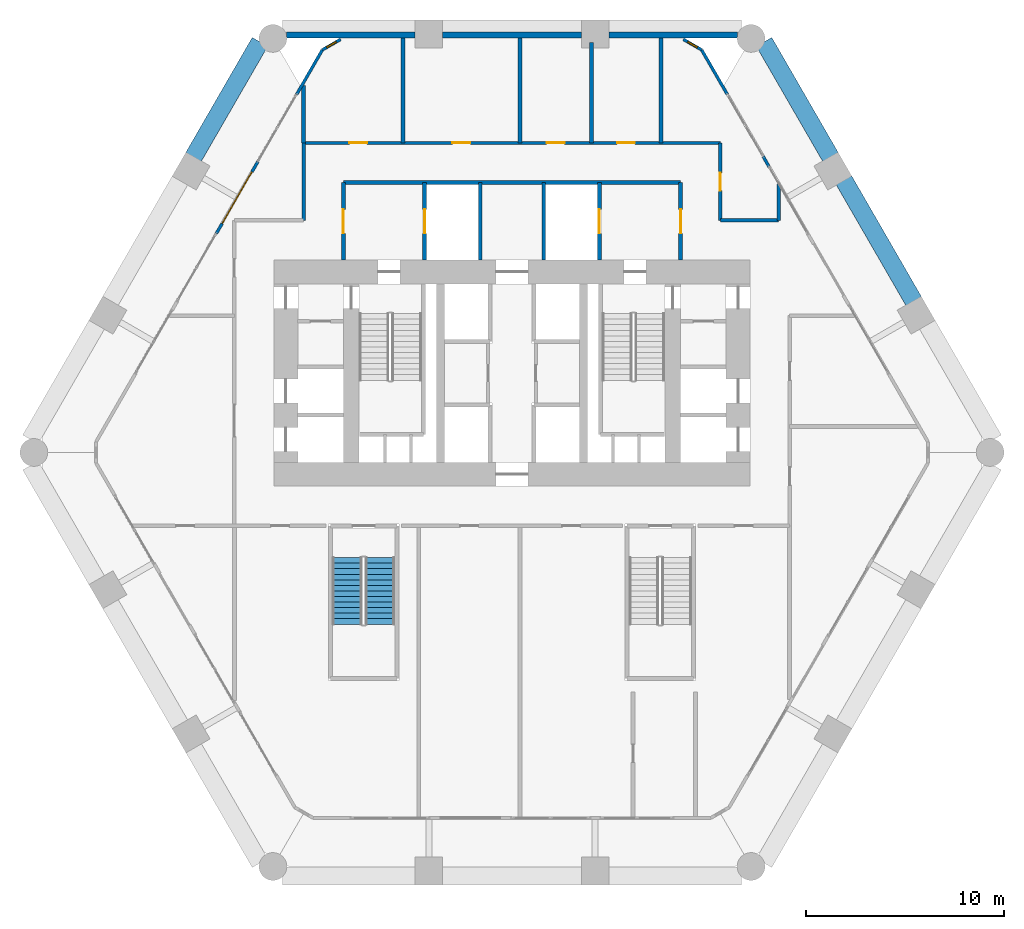
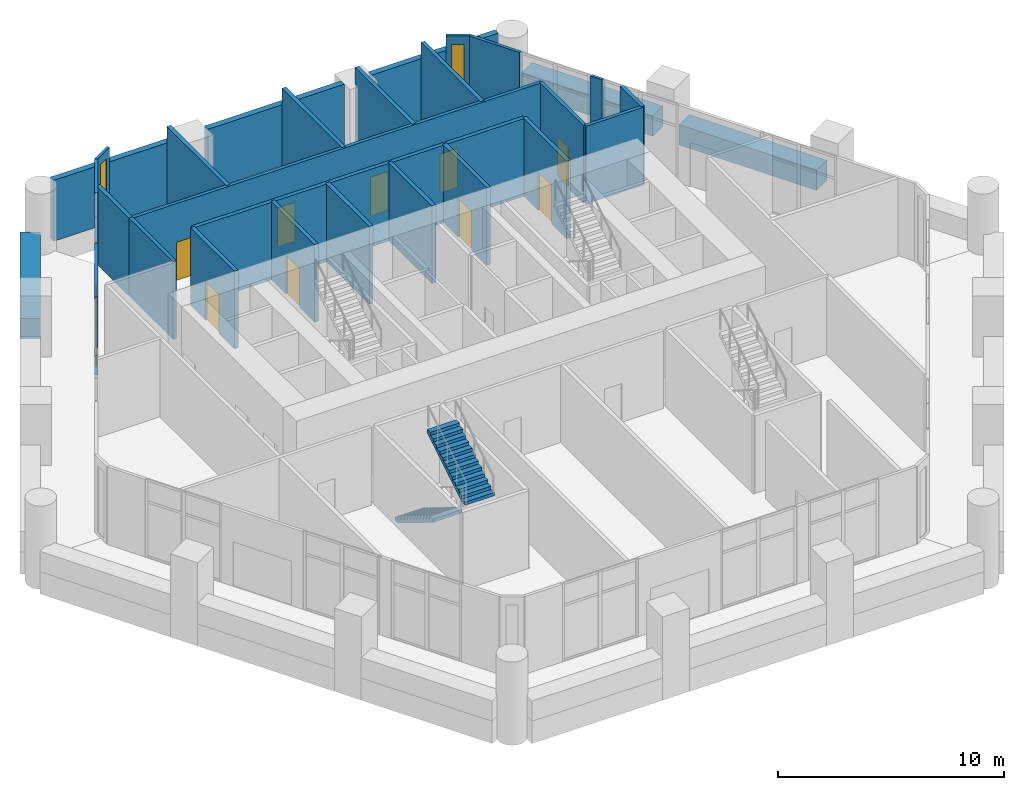
# One storey, part 16 of 18: 29 walls, 10 doors, 2 stair flights, 2 windows, 12 openings, 1 element without a shape of its own.
"""IFC4 building model written with IfcOpenShell, lengths in metres."""

from ifc_helpers import new_model, si_unit, direction, frame, frame_2d, origin, place, context, subcontext, project, spatial, polyline, rectangle, outline, extrude, material, layer, layer_set, type_object, element, fill, aggregate, save


model = new_model("IFC4")

# Units and contexts
model_context = context("Model", 3, precision=1e-05, world=origin(), true_north=direction((0.0, 1.0)))
body_context = subcontext(model_context, "Body", "Model", "MODEL_VIEW")
ifc_project = project(units=[si_unit("LENGTHUNIT", "METRE"), si_unit("AREAUNIT", "SQUARE_METRE"), si_unit("VOLUMEUNIT", "CUBIC_METRE"), si_unit("PLANEANGLEUNIT", "RADIAN"), si_unit("MASSUNIT", "GRAM", prefix="KILO")], contexts=[model_context])

# Site, building, storey
site_placement = place(None, origin())
site = spatial("IfcSite", under=ifc_project, at=site_placement, CompositionType="ELEMENT")
building_placement = place(site_placement, origin())
building = spatial("IfcBuilding", under=site, at=building_placement, Name="Ostrander Bayou Hotel Tower", CompositionType="ELEMENT")
storey_placement = place(building_placement, frame((0.0, 0.0, 14.5)))
storey = spatial("IfcBuildingStorey", under=building, at=storey_placement, Name="L03", CompositionType="ELEMENT", Elevation=14.5)

# Wall, opening, door
ifc_material_1 = material(Name="Aluminium framed insulated wall", Category="aluminium")
ifc_layer_1 = layer(ifc_material_1, 0.14990234375)
ifc_layer_set_1 = layer_set([ifc_layer_1], Name="GW1 glass-line wall 150 mm")
wall_type_1 = type_object("IfcWallType", Name="GW1 glass-line wall 150 mm", PredefinedType="SOLIDWALL", material=ifc_layer_set_1)
wall_1_placement = place(storey_placement, frame((-12.806396484375, 14.66845703125, 0.0), z_axis=(0.0, 0.0, 1.0), x_axis=(-0.500027713859, -0.866009402589, 0.0)))
wall_1 = element("IfcWall", 1, at=wall_1_placement, inside=storey, type_object=wall_type_1, Name="GW1 L03 NW 2", PredefinedType="SOLIDWALL", context=body_context, shape_type="SweptSolid", body=[
    extrude(rectangle(XDim=4.199951171875, YDim=0.14990234375, at=frame_2d((2.10009765625, 0.0))), origin(), (0.0, 0.0, 1.0), 4.199951171875),
])
opening_1_placement = place(wall_1_placement, frame((0.60009765625, 0.0, 0.0)))
opening_1 = element("IfcOpeningElement", 2, at=opening_1_placement, cuts=wall_1, Name="Opening T03-800", PredefinedType="OPENING", context=body_context, shape_type="SweptSolid", body=[
    extrude(rectangle(XDim=3.0, YDim=2.39990234375, at=frame_2d((1.5, 1.199951171875))), frame((0.0, 0.074951171875, 0.0), z_axis=(0.0, -1.0, 0.0), x_axis=(1.0, 0.0, 0.0)), (0.0, 0.0, 1.0), 0.14990234375),
])
ifc_material_2 = material(Name="Aluminium and clear glass", Category="aluminium")
door_type_1 = type_object("IfcDoorType", Name="SD5 sliding glass door 3000 mm", OperationType="SLIDING_TO_LEFT", PredefinedType="DOOR", material=ifc_material_2)
door_1_placement = place(opening_1_placement, origin())
door_1 = element("IfcDoor", 3, at=door_1_placement, inside=storey, type_object=door_type_1, Name="SD5 L03 NW 2", OperationType="SLIDING_TO_RIGHT", OverallHeight=2.39990234375, OverallWidth=3.0, PredefinedType="DOOR", context=body_context, shape_type="SweptSolid", body=[
    extrude(rectangle(XDim=3.0, YDim=2.39990234375, at=frame_2d((1.5, 1.199951171875))), frame((0.0, 0.02490234375, 0.0), z_axis=(0.0, -1.0, 0.0), x_axis=(1.0, 0.0, 0.0)), (0.0, 0.0, 1.0), 0.050048828125),
])
fill(opening_1, door_1)

# Walls
for number, where, z_axis, x_axis, name in (
    (4, (-9.5595703125, 20.29248046875, 0.0), (0.0, 0.0, 1.0), (-0.499945140294, -0.866057074734, 0.0), "GW1 L03 NW end 1"),
    (5, (10.8564453125, 18.0458984375, 0.0), (0.0, 0.0, 1.0), (-0.499945140294, 0.866057074734, 0.0), "GW1 L03 NE end 2"),
):
    element("IfcWall", number, at=place(storey_placement, frame(where, z_axis=z_axis, x_axis=x_axis)), inside=storey, type_object=wall_type_1, Name=name, PredefinedType="SOLIDWALL", context=body_context, shape_type="SweptSolid", body=[
        extrude(rectangle(XDim=2.593994140625, YDim=0.14990234375, at=frame_2d((1.296875, 0.0))), origin(), (0.0, 0.0, 1.0), 4.199951171875),
    ])
wall_2_placement = place(storey_placement, frame((12.95654296875, 14.40869140625, 0.0), z_axis=(0.0, 0.0, 1.0), x_axis=(-0.50012165622, 0.865955154139, 0.0)))
element("IfcWall", 6, at=wall_2_placement, inside=storey, type_object=wall_type_1, Name="GW1 L03 NE pier 5", PredefinedType="SOLIDWALL", context=body_context, shape_type="SweptSolid", body=[
    extrude(rectangle(XDim=0.599853515625, YDim=0.14990234375, at=frame_2d((0.2998046875, 0.0))), origin(), (0.0, 0.0, 1.0), 4.199951171875),
])

# Wall, opening, window
wall_3_placement = place(storey_placement, frame((-8.63720703125, 20.824951171875, 0.0), z_axis=(0.0, 0.0, 1.0), x_axis=(-0.866048165231, -0.499960573946, 0.0)))
wall_3 = element("IfcWall", 7, at=wall_3_placement, inside=storey, type_object=wall_type_1, Name="GW1 L03 corner 1", PredefinedType="SOLIDWALL", context=body_context, shape_type="SweptSolid", body=[
    extrude(rectangle(XDim=1.06494140625, YDim=0.14990234375, at=frame_2d((0.532470703125, 0.0))), origin(), (0.0, 0.0, 1.0), 4.199951171875),
])
opening_2_placement = place(wall_3_placement, frame((0.257568359375, 0.0, 0.14990234375)))
opening_2 = element("IfcOpeningElement", 8, at=opening_2_placement, cuts=wall_3, Name="Opening W19", PredefinedType="OPENING", context=body_context, shape_type="SweptSolid", body=[
    extrude(rectangle(XDim=0.550048828125, YDim=3.60009765625, at=frame_2d((0.27490234375, 1.800048828125))), frame((0.0, 0.074951171875, 0.0), z_axis=(0.0, -1.0, 0.0), x_axis=(1.0, 0.0, 0.0)), (0.0, 0.0, 1.0), 0.14990234375),
])
ifc_material_3 = material(Name="Aluminium and clear glass", Category="aluminium")
window_type = type_object("IfcWindowType", Name="W19 corner window 550 mm", PartitioningType="SINGLE_PANEL", PredefinedType="WINDOW", material=ifc_material_3)
window_1_placement = place(opening_2_placement, origin())
window_1 = element("IfcWindow", 9, at=window_1_placement, inside=storey, type_object=window_type, Name="W19 L03 corner 1", OverallHeight=3.60009765625, OverallWidth=0.550048828125, PartitioningType="SINGLE_PANEL", PredefinedType="WINDOW", context=body_context, shape_type="SweptSolid", body=[
    extrude(rectangle(XDim=0.550048828125, YDim=3.60009765625, at=frame_2d((0.27490234375, 1.800048828125))), frame((0.0, 0.030029296875, 0.0), z_axis=(0.0, -1.0, 0.0), x_axis=(1.0, 0.0, 0.0)), (0.0, 0.0, 1.0), 0.06005859375),
])
fill(opening_2, window_1)

wall_4_placement = place(storey_placement, frame((9.5595703125, 20.29248046875, 0.0), z_axis=(0.0, 0.0, 1.0), x_axis=(-0.866048165231, 0.499960573946, 0.0)))
wall_4 = element("IfcWall", 10, at=wall_4_placement, inside=storey, type_object=wall_type_1, Name="GW1 L03 corner 6", PredefinedType="SOLIDWALL", context=body_context, shape_type="SweptSolid", body=[
    extrude(rectangle(XDim=1.06494140625, YDim=0.14990234375, at=frame_2d((0.532470703125, 0.0))), origin(), (0.0, 0.0, 1.0), 4.199951171875),
])
opening_3_placement = place(wall_4_placement, frame((0.257568359375, 0.0, 0.14990234375)))
opening_3 = element("IfcOpeningElement", 11, at=opening_3_placement, cuts=wall_4, Name="Opening W19", PredefinedType="OPENING", context=body_context, shape_type="SweptSolid", body=[
    extrude(rectangle(XDim=0.550048828125, YDim=3.60009765625, at=frame_2d((0.27490234375, 1.800048828125))), frame((0.0, 0.074951171875, 0.0), z_axis=(0.0, -1.0, 0.0), x_axis=(1.0, 0.0, 0.0)), (0.0, 0.0, 1.0), 0.14990234375),
])
window_2_placement = place(opening_3_placement, origin())
window_2 = element("IfcWindow", 12, at=window_2_placement, inside=storey, type_object=window_type, Name="W19 L03 corner 6", OverallHeight=3.60009765625, OverallWidth=0.550048828125, PartitioningType="SINGLE_PANEL", PredefinedType="WINDOW", context=body_context, shape_type="SweptSolid", body=[
    extrude(rectangle(XDim=0.550048828125, YDim=3.60009765625, at=frame_2d((0.27490234375, 1.800048828125))), frame((0.0, 0.030029296875, 0.0), z_axis=(0.0, -1.0, 0.0), x_axis=(1.0, 0.0, 0.0)), (0.0, 0.0, 1.0), 0.06005859375),
])
fill(opening_3, window_2)

# Walls
ifc_material_4 = material(Name="Reconstituted stone on masonry backing", Category="masonry")
ifc_layer_2 = layer(ifc_material_4, 0.300048828125)
ifc_layer_set_2 = layer_set([ifc_layer_2], Name="NW1 north stone wall 300 mm")
wall_type_2 = type_object("IfcWallType", Name="NW1 north stone wall 300 mm", PredefinedType="SOLIDWALL", material=ifc_layer_set_2)
wall_5_placement = place(storey_placement, frame((11.376708984375, 21.050048828125, 0.0), z_axis=(0.0, 0.0, 1.0), x_axis=(-1.0, 0.0, 0.0)))
element("IfcWall", 13, at=wall_5_placement, inside=storey, type_object=wall_type_2, Name="NW1 L03 N-1", PredefinedType="SOLIDWALL", context=body_context, shape_type="SweptSolid", body=[
    extrude(rectangle(XDim=6.481201171875, YDim=0.300048828125, at=frame_2d((3.24072265625, 0.0))), origin(), (0.0, 0.0, 1.0), 3.300048828125),
])
wall_6_placement = place(storey_placement, frame((3.495361328125, 21.050048828125, 0.0), z_axis=(0.0, 0.0, 1.0), x_axis=(-1.0, 0.0, 0.0)))
element("IfcWall", 14, at=wall_6_placement, inside=storey, type_object=wall_type_2, Name="NW1 L03 N-2", PredefinedType="SOLIDWALL", context=body_context, shape_type="SweptSolid", body=[
    extrude(rectangle(XDim=6.99072265625, YDim=0.300048828125, at=frame_2d((3.495361328125, 0.0))), origin(), (0.0, 0.0, 1.0), 3.300048828125),
])
wall_7_placement = place(storey_placement, frame((-4.8955078125, 21.050048828125, 0.0), z_axis=(0.0, 0.0, 1.0), x_axis=(-1.0, 0.0, 0.0)))
element("IfcWall", 15, at=wall_7_placement, inside=storey, type_object=wall_type_2, Name="NW1 L03 N-3", PredefinedType="SOLIDWALL", context=body_context, shape_type="SweptSolid", body=[
    extrude(rectangle(XDim=6.481201171875, YDim=0.300048828125, at=frame_2d((3.24072265625, 0.0))), origin(), (0.0, 0.0, 1.0), 3.300048828125),
])
ifc_material_5 = material(Name="Concrete f'c 40 MPa", Category="concrete")
ifc_layer_3 = layer(ifc_material_5, 0.89990234375)
ifc_layer_set_3 = layer_set([ifc_layer_3], Name="PA1 stone-faced parapet 900 mm")
wall_type_3 = type_object("IfcWallType", Name="PA1 stone-faced parapet 900 mm", PredefinedType="PARAPET", material=ifc_layer_set_3)
wall_8_placement = place(storey_placement, frame((-12.705078125, 20.694091796875, 0.0), z_axis=(0.0, 0.0, 1.0), x_axis=(-0.500005133765, -0.866022439784, 0.0)))
element("IfcWall", 16, at=wall_8_placement, inside=storey, type_object=wall_type_3, Name="PA1 L03 NW-1", PredefinedType="PARAPET", context=body_context, shape_type="SweptSolid", body=[
    extrude(rectangle(XDim=6.70361328125, YDim=0.89990234375, at=frame_2d((3.351806640625, 0.0))), origin(), (0.0, 0.0, 1.0), 1.10009765625),
])
wall_9_placement = place(storey_placement, frame((20.252197265625, 7.621826171875, 0.0), z_axis=(0.0, 0.0, 1.0), x_axis=(-0.499997206141, 0.866027016814, 0.0)))
element("IfcWall", 17, at=wall_9_placement, inside=storey, type_object=wall_type_3, Name="PA1 L03 NE-2", PredefinedType="PARAPET", context=body_context, shape_type="SweptSolid", body=[
    extrude(rectangle(XDim=7.05078125, YDim=0.89990234375, at=frame_2d((3.525390625, 0.0))), origin(), (0.0, 0.0, 1.0), 1.10009765625),
])
wall_10_placement = place(storey_placement, frame((16.056884765625, 14.888671875, 0.0), z_axis=(0.0, 0.0, 1.0), x_axis=(-0.500005133765, 0.866022439784, 0.0)))
element("IfcWall", 18, at=wall_10_placement, inside=storey, type_object=wall_type_3, Name="PA1 L03 NE-3", PredefinedType="PARAPET", context=body_context, shape_type="SweptSolid", body=[
    extrude(rectangle(XDim=6.70361328125, YDim=0.89990234375, at=frame_2d((3.351806640625, 0.0))), origin(), (0.0, 0.0, 1.0), 1.10009765625),
])
ifc_material_6 = material(Name="Gypsum board partition", Category="finish")
ifc_layer_4 = layer(ifc_material_6, 0.199951171875)
ifc_layer_set_4 = layer_set([ifc_layer_4], Name="PT3 demising wall 200 mm acoustic double stud, 1 hour")
wall_type_4 = type_object("IfcWallType", Name="PT3 demising wall 200 mm acoustic double stud, 1 hour", PredefinedType="PARTITIONING", material=ifc_layer_set_4)
wall_11_placement = place(storey_placement, frame((-10.5, 15.60009765625, 0.0), z_axis=(0.0, 0.0, 1.0), x_axis=(0.0, 1.0, 0.0)))
element("IfcWall", 19, at=wall_11_placement, inside=storey, type_object=wall_type_4, Name="sw:L03:016", PredefinedType="PARTITIONING", context=body_context, shape_type="SweptSolid", body=[
    extrude(rectangle(XDim=2.908447265625, YDim=0.199951171875, at=frame_2d((1.4541015625, 0.0))), origin(), (0.0, 0.0, 1.0), 4.199951171875),
])
for number, where, z_axis, x_axis, name in (
    (20, (-5.5, 15.60009765625, 0.0), (0.0, 0.0, 1.0), (0.0, 1.0, 0.0), "sw:L03:017"),
    (21, (0.39990234375, 15.60009765625, 0.0), (0.0, 0.0, 1.0), (0.0, 1.0, 0.0), "sw:L03:020"),
):
    element("IfcWall", number, at=place(storey_placement, frame(where, z_axis=z_axis, x_axis=x_axis)), inside=storey, type_object=wall_type_4, Name=name, PredefinedType="PARTITIONING", context=body_context, shape_type="SweptSolid", body=[
        extrude(rectangle(XDim=5.294921875, YDim=0.199951171875, at=frame_2d((2.6474609375, 0.0))), origin(), (0.0, 0.0, 1.0), 4.199951171875),
    ])
wall_12_placement = place(storey_placement, frame((4.0, 15.60009765625, 0.0), z_axis=(0.0, 0.0, 1.0), x_axis=(0.0, 1.0, 0.0)))
element("IfcWall", 22, at=wall_12_placement, inside=storey, type_object=wall_type_4, Name="sw:L03:021", PredefinedType="PARTITIONING", context=body_context, shape_type="SweptSolid", body=[
    extrude(rectangle(XDim=5.06982421875, YDim=0.199951171875, at=frame_2d((2.534912109375, 0.0))), origin(), (0.0, 0.0, 1.0), 4.199951171875),
])
wall_13_placement = place(storey_placement, frame((7.5, 15.60009765625, 0.0), z_axis=(0.0, 0.0, 1.0), x_axis=(0.0, 1.0, 0.0)))
element("IfcWall", 23, at=wall_13_placement, inside=storey, type_object=wall_type_4, Name="sw:L03:023", PredefinedType="PARTITIONING", context=body_context, shape_type="SweptSolid", body=[
    extrude(rectangle(XDim=5.294921875, YDim=0.199951171875, at=frame_2d((2.6474609375, 0.0))), origin(), (0.0, 0.0, 1.0), 4.199951171875),
])
ifc_material_7 = material(Name="Gypsum board partition", Category="finish")
ifc_layer_5 = layer(ifc_material_7, 0.175048828125)
ifc_layer_set_5 = layer_set([ifc_layer_5], Name="PT4 corridor wall 175 mm, 1 hour")
wall_type_5 = type_object("IfcWallType", Name="PT4 corridor wall 175 mm, 1 hour", PredefinedType="PARTITIONING", material=ifc_layer_set_5)
wall_14_placement = place(storey_placement, frame((10.5, 11.699951171875, 0.0), z_axis=(0.0, 0.0, 1.0), x_axis=(1.0, 0.0, 0.0)))
element("IfcWall", 24, at=wall_14_placement, inside=storey, type_object=wall_type_5, Name="sw:L03:007", PredefinedType="PARTITIONING", context=body_context, shape_type="SweptSolid", body=[
    extrude(rectangle(XDim=2.9375, YDim=0.175048828125, at=frame_2d((1.46875, 0.0))), origin(), (0.0, 0.0, 1.0), 4.199951171875),
])

# Wall, openings, doors
wall_15_placement = place(storey_placement, frame((-10.5, 15.60009765625, 0.0), z_axis=(0.0, 0.0, 1.0), x_axis=(1.0, 0.0, 0.0)))
wall_15 = element("IfcWall", 25, at=wall_15_placement, inside=storey, type_object=wall_type_5, Name="sw:L03:008", PredefinedType="PARTITIONING", context=body_context, shape_type="SweptSolid", body=[
    extrude(rectangle(XDim=21.0, YDim=0.175048828125, at=frame_2d((10.5, 0.0))), origin(), (0.0, 0.0, 1.0), 4.199951171875),
])
opening_4_placement = place(wall_15_placement, frame((2.300048828125, 0.0, 0.0)))
opening_4 = element("IfcOpeningElement", 26, at=opening_4_placement, cuts=wall_15, Name="Opening T03-210", PredefinedType="OPENING", context=body_context, shape_type="SweptSolid", body=[
    extrude(rectangle(XDim=0.89990234375, YDim=2.10009765625, at=frame_2d((0.449951171875, 1.050048828125))), frame((0.0, 0.08740234375, 0.0), z_axis=(0.0, -1.0, 0.0), x_axis=(1.0, 0.0, 0.0)), (0.0, 0.0, 1.0), 0.175048828125),
])
opening_5_placement = place(wall_15_placement, frame((7.5, 0.0, 0.0)))
opening_5 = element("IfcOpeningElement", 27, at=opening_5_placement, cuts=wall_15, Name="Opening T03-211", PredefinedType="OPENING", context=body_context, shape_type="SweptSolid", body=[
    extrude(rectangle(XDim=0.89990234375, YDim=2.10009765625, at=frame_2d((0.449951171875, 1.050048828125))), frame((0.0, 0.08740234375, 0.0), z_axis=(0.0, -1.0, 0.0), x_axis=(1.0, 0.0, 0.0)), (0.0, 0.0, 1.0), 0.175048828125),
])
opening_6_placement = place(wall_15_placement, frame((12.25, 0.0, 0.0)))
opening_6 = element("IfcOpeningElement", 28, at=opening_6_placement, cuts=wall_15, Name="Opening T03-212", PredefinedType="OPENING", context=body_context, shape_type="SweptSolid", body=[
    extrude(rectangle(XDim=0.89990234375, YDim=2.10009765625, at=frame_2d((0.449951171875, 1.050048828125))), frame((0.0, 0.08740234375, 0.0), z_axis=(0.0, -1.0, 0.0), x_axis=(1.0, 0.0, 0.0)), (0.0, 0.0, 1.0), 0.175048828125),
])
opening_7_placement = place(wall_15_placement, frame((15.800048828125, 0.0, 0.0)))
opening_7 = element("IfcOpeningElement", 29, at=opening_7_placement, cuts=wall_15, Name="Opening T03-213", PredefinedType="OPENING", context=body_context, shape_type="SweptSolid", body=[
    extrude(rectangle(XDim=0.89990234375, YDim=2.10009765625, at=frame_2d((0.449951171875, 1.050048828125))), frame((0.0, 0.08740234375, 0.0), z_axis=(0.0, -1.0, 0.0), x_axis=(1.0, 0.0, 0.0)), (0.0, 0.0, 1.0), 0.175048828125),
])
ifc_material_8 = material(Name="Timber door leaf", Category="wood")
door_type_2 = type_object("IfcDoorType", Name="D8 room door 900 x 2100 mm", OperationType="SINGLE_SWING_LEFT", PredefinedType="DOOR", material=ifc_material_8)
door_2_placement = place(opening_4_placement, origin())
door_2 = element("IfcDoor", 30, at=door_2_placement, inside=storey, type_object=door_type_2, Name="dr:L03:210", OperationType="SINGLE_SWING_RIGHT", OverallHeight=2.10009765625, OverallWidth=0.89990234375, PredefinedType="DOOR", context=body_context, shape_type="SweptSolid", body=[
    extrude(rectangle(XDim=0.89990234375, YDim=2.10009765625, at=frame_2d((0.449951171875, 1.050048828125))), frame((0.0, 0.02490234375, 0.0), z_axis=(0.0, -1.0, 0.0), x_axis=(1.0, 0.0, 0.0)), (0.0, 0.0, 1.0), 0.050048828125),
])
fill(opening_4, door_2)
door_3_placement = place(opening_5_placement, origin())
door_3 = element("IfcDoor", 31, at=door_3_placement, inside=storey, type_object=door_type_2, Name="dr:L03:211", OperationType="SINGLE_SWING_LEFT", OverallHeight=2.10009765625, OverallWidth=0.89990234375, PredefinedType="DOOR", context=body_context, shape_type="SweptSolid", body=[
    extrude(rectangle(XDim=0.89990234375, YDim=2.10009765625, at=frame_2d((0.449951171875, 1.050048828125))), frame((0.0, 0.02490234375, 0.0), z_axis=(0.0, -1.0, 0.0), x_axis=(1.0, 0.0, 0.0)), (0.0, 0.0, 1.0), 0.050048828125),
])
fill(opening_5, door_3)
door_4_placement = place(opening_6_placement, origin())
door_4 = element("IfcDoor", 32, at=door_4_placement, inside=storey, type_object=door_type_2, Name="dr:L03:212", OperationType="SINGLE_SWING_RIGHT", OverallHeight=2.10009765625, OverallWidth=0.89990234375, PredefinedType="DOOR", context=body_context, shape_type="SweptSolid", body=[
    extrude(rectangle(XDim=0.89990234375, YDim=2.10009765625, at=frame_2d((0.449951171875, 1.050048828125))), frame((0.0, 0.02490234375, 0.0), z_axis=(0.0, -1.0, 0.0), x_axis=(1.0, 0.0, 0.0)), (0.0, 0.0, 1.0), 0.050048828125),
])
fill(opening_6, door_4)
door_5_placement = place(opening_7_placement, origin())
door_5 = element("IfcDoor", 33, at=door_5_placement, inside=storey, type_object=door_type_2, Name="dr:L03:213", OperationType="SINGLE_SWING_LEFT", OverallHeight=2.10009765625, OverallWidth=0.89990234375, PredefinedType="DOOR", context=body_context, shape_type="SweptSolid", body=[
    extrude(rectangle(XDim=0.89990234375, YDim=2.10009765625, at=frame_2d((0.449951171875, 1.050048828125))), frame((0.0, 0.02490234375, 0.0), z_axis=(0.0, -1.0, 0.0), x_axis=(1.0, 0.0, 0.0)), (0.0, 0.0, 1.0), 0.050048828125),
])
fill(opening_7, door_5)

# Wall
wall_16_placement = place(storey_placement, frame((-10.5, 11.699951171875, 0.0), z_axis=(0.0, 0.0, 1.0), x_axis=(0.0, 1.0, 0.0)))
element("IfcWall", 34, at=wall_16_placement, inside=storey, type_object=wall_type_5, Name="sw:L03:010", PredefinedType="PARTITIONING", context=body_context, shape_type="SweptSolid", body=[
    extrude(rectangle(XDim=3.900146484375, YDim=0.175048828125, at=frame_2d((1.9501953125, 0.0))), origin(), (0.0, 0.0, 1.0), 4.199951171875),
])

# Wall, opening, door
wall_17_placement = place(storey_placement, frame((10.5, 11.699951171875, 0.0), z_axis=(0.0, 0.0, 1.0), x_axis=(0.0, 1.0, 0.0)))
wall_17 = element("IfcWall", 35, at=wall_17_placement, inside=storey, type_object=wall_type_5, Name="sw:L03:011", PredefinedType="PARTITIONING", context=body_context, shape_type="SweptSolid", body=[
    extrude(rectangle(XDim=3.900146484375, YDim=0.175048828125, at=frame_2d((1.9501953125, 0.0))), origin(), (0.0, 0.0, 1.0), 4.199951171875),
])
opening_8_placement = place(wall_17_placement, frame((1.5, 0.0, 0.0)))
opening_8 = element("IfcOpeningElement", 36, at=opening_8_placement, cuts=wall_17, Name="Opening T03-214", PredefinedType="OPENING", context=body_context, shape_type="SweptSolid", body=[
    extrude(rectangle(XDim=0.89990234375, YDim=2.10009765625, at=frame_2d((0.449951171875, 1.050048828125))), frame((0.0, 0.08740234375, 0.0), z_axis=(0.0, -1.0, 0.0), x_axis=(1.0, 0.0, 0.0)), (0.0, 0.0, 1.0), 0.175048828125),
])
door_6_placement = place(opening_8_placement, origin())
door_6 = element("IfcDoor", 37, at=door_6_placement, inside=storey, type_object=door_type_2, Name="dr:L03:214", OperationType="SINGLE_SWING_RIGHT", OverallHeight=2.10009765625, OverallWidth=0.89990234375, PredefinedType="DOOR", context=body_context, shape_type="SweptSolid", body=[
    extrude(rectangle(XDim=0.89990234375, YDim=2.10009765625, at=frame_2d((0.449951171875, 1.050048828125))), frame((0.0, 0.02490234375, 0.0), z_axis=(0.0, -1.0, 0.0), x_axis=(1.0, 0.0, 0.0)), (0.0, 0.0, 1.0), 0.050048828125),
])
fill(opening_8, door_6)

# Walls
wall_18_placement = place(storey_placement, frame((13.43798828125, 11.699951171875, 0.0), z_axis=(0.0, 0.0, 1.0), x_axis=(0.0, 1.0, 0.0)))
element("IfcWall", 38, at=wall_18_placement, inside=storey, type_object=wall_type_5, Name="sw:L03:012", PredefinedType="PARTITIONING", context=body_context, shape_type="SweptSolid", body=[
    extrude(rectangle(XDim=1.841796875, YDim=0.175048828125, at=frame_2d((0.9208984375, 0.0))), origin(), (0.0, 0.0, 1.0), 4.199951171875),
])
ifc_material_9 = material(Name="Masonry block", Category="masonry")
ifc_layer_6 = layer(ifc_material_9, 0.199951171875)
ifc_layer_set_6 = layer_set([ifc_layer_6], Name="PT5 stair enclosure wall 200 mm masonry, 2 hour")
wall_type_6 = type_object("IfcWallType", Name="PT5 stair enclosure wall 200 mm masonry, 2 hour", PredefinedType="PARTITIONING", material=ifc_layer_set_6)
wall_19_placement = place(storey_placement, frame((-8.5, 13.60009765625, 0.0), z_axis=(0.0, 0.0, 1.0), x_axis=(1.0, 0.0, 0.0)))
element("IfcWall", 39, at=wall_19_placement, inside=storey, type_object=wall_type_6, Name="cs:L03:025", PredefinedType="PARTITIONING", context=body_context, shape_type="SweptSolid", body=[
    extrude(rectangle(XDim=17.0, YDim=0.199951171875, at=frame_2d((8.5, 0.0))), origin(), (0.0, 0.0, 1.0), 4.199951171875),
])

# Wall, opening, door
wall_20_placement = place(storey_placement, frame((-8.5, 9.699951171875, 0.0), z_axis=(0.0, 0.0, 1.0), x_axis=(0.0, 1.0, 0.0)))
wall_20 = element("IfcWall", 40, at=wall_20_placement, inside=storey, type_object=wall_type_6, Name="cs:L03:026", PredefinedType="PARTITIONING", context=body_context, shape_type="SweptSolid", body=[
    extrude(rectangle(XDim=3.900146484375, YDim=0.199951171875, at=frame_2d((1.9501953125, 0.0))), origin(), (0.0, 0.0, 1.0), 4.199951171875),
])
opening_9_placement = place(wall_20_placement, frame((1.35009765625, 0.0, 0.0)))
opening_9 = element("IfcOpeningElement", 41, at=opening_9_placement, cuts=wall_20, Name="Opening T03-010", PredefinedType="OPENING", context=body_context, shape_type="SweptSolid", body=[
    extrude(rectangle(XDim=1.199951171875, YDim=2.10009765625, at=frame_2d((0.60009765625, 1.050048828125))), frame((0.0, 0.10009765625, 0.0), z_axis=(0.0, -1.0, 0.0), x_axis=(1.0, 0.0, 0.0)), (0.0, 0.0, 1.0), 0.199951171875),
])
ifc_material_10 = material(Name="Timber door leaf", Category="wood")
door_type_3 = type_object("IfcDoorType", Name="D7 lobby door 1200 x 2100 mm, 1 hour", OperationType="SINGLE_SWING_LEFT", PredefinedType="DOOR", material=ifc_material_10)
door_7_placement = place(opening_9_placement, origin())
door_7 = element("IfcDoor", 42, at=door_7_placement, inside=storey, type_object=door_type_3, Name="dr:L03:010", OperationType="SINGLE_SWING_LEFT", OverallHeight=2.10009765625, OverallWidth=1.199951171875, PredefinedType="DOOR", context=body_context, shape_type="SweptSolid", body=[
    extrude(rectangle(XDim=1.199951171875, YDim=2.10009765625, at=frame_2d((0.60009765625, 1.050048828125))), frame((0.0, 0.02490234375, 0.0), z_axis=(0.0, -1.0, 0.0), x_axis=(1.0, 0.0, 0.0)), (0.0, 0.0, 1.0), 0.050048828125),
])
fill(opening_9, door_7)

wall_21_placement = place(storey_placement, frame((8.5, 9.699951171875, 0.0), z_axis=(0.0, 0.0, 1.0), x_axis=(0.0, 1.0, 0.0)))
wall_21 = element("IfcWall", 43, at=wall_21_placement, inside=storey, type_object=wall_type_6, Name="cs:L03:027", PredefinedType="PARTITIONING", context=body_context, shape_type="SweptSolid", body=[
    extrude(rectangle(XDim=3.900146484375, YDim=0.199951171875, at=frame_2d((1.9501953125, 0.0))), origin(), (0.0, 0.0, 1.0), 4.199951171875),
])
opening_10_placement = place(wall_21_placement, frame((1.35009765625, 0.0, 0.0)))
opening_10 = element("IfcOpeningElement", 44, at=opening_10_placement, cuts=wall_21, Name="Opening T03-012", PredefinedType="OPENING", context=body_context, shape_type="SweptSolid", body=[
    extrude(rectangle(XDim=1.199951171875, YDim=2.10009765625, at=frame_2d((0.60009765625, 1.050048828125))), frame((0.0, 0.10009765625, 0.0), z_axis=(0.0, -1.0, 0.0), x_axis=(1.0, 0.0, 0.0)), (0.0, 0.0, 1.0), 0.199951171875),
])
door_8_placement = place(opening_10_placement, origin())
door_8 = element("IfcDoor", 45, at=door_8_placement, inside=storey, type_object=door_type_3, Name="dr:L03:012", OperationType="SINGLE_SWING_LEFT", OverallHeight=2.10009765625, OverallWidth=1.199951171875, PredefinedType="DOOR", context=body_context, shape_type="SweptSolid", body=[
    extrude(rectangle(XDim=1.199951171875, YDim=2.10009765625, at=frame_2d((0.60009765625, 1.050048828125))), frame((0.0, 0.02490234375, 0.0), z_axis=(0.0, -1.0, 0.0), x_axis=(1.0, 0.0, 0.0)), (0.0, 0.0, 1.0), 0.050048828125),
])
fill(opening_10, door_8)

wall_22_placement = place(storey_placement, frame((-4.39990234375, 9.699951171875, 0.0), z_axis=(0.0, 0.0, 1.0), x_axis=(0.0, 1.0, 0.0)))
wall_22 = element("IfcWall", 46, at=wall_22_placement, inside=storey, type_object=wall_type_6, Name="cs:L03:028", PredefinedType="PARTITIONING", context=body_context, shape_type="SweptSolid", body=[
    extrude(rectangle(XDim=3.900146484375, YDim=0.199951171875, at=frame_2d((1.9501953125, 0.0))), origin(), (0.0, 0.0, 1.0), 4.199951171875),
])
opening_11_placement = place(wall_22_placement, frame((1.35009765625, 0.0, 0.0)))
opening_11 = element("IfcOpeningElement", 47, at=opening_11_placement, cuts=wall_22, Name="Opening T03-009", PredefinedType="OPENING", context=body_context, shape_type="SweptSolid", body=[
    extrude(rectangle(XDim=1.199951171875, YDim=2.10009765625, at=frame_2d((0.60009765625, 1.050048828125))), frame((0.0, 0.10009765625, 0.0), z_axis=(0.0, -1.0, 0.0), x_axis=(1.0, 0.0, 0.0)), (0.0, 0.0, 1.0), 0.199951171875),
])
ifc_material_11 = material(Name="Stainless steel sliding door", Category="steel")
door_type_4 = type_object("IfcDoorType", Name="LD1 lift landing door 1200 x 2100 mm", OperationType="SINGLE_SWING_LEFT", PredefinedType="DOOR", material=ifc_material_11)
door_9_placement = place(opening_11_placement, origin())
door_9 = element("IfcDoor", 48, at=door_9_placement, inside=storey, type_object=door_type_4, Name="dr:L03:009", OperationType="SLIDING_TO_LEFT", OverallHeight=2.10009765625, OverallWidth=1.199951171875, PredefinedType="DOOR", context=body_context, shape_type="SweptSolid", body=[
    extrude(rectangle(XDim=1.199951171875, YDim=2.10009765625, at=frame_2d((0.60009765625, 1.050048828125))), frame((0.0, 0.02490234375, 0.0), z_axis=(0.0, -1.0, 0.0), x_axis=(1.0, 0.0, 0.0)), (0.0, 0.0, 1.0), 0.050048828125),
])
fill(opening_11, door_9)

wall_23_placement = place(storey_placement, frame((4.39990234375, 9.699951171875, 0.0), z_axis=(0.0, 0.0, 1.0), x_axis=(0.0, 1.0, 0.0)))
wall_23 = element("IfcWall", 49, at=wall_23_placement, inside=storey, type_object=wall_type_6, Name="cs:L03:029", PredefinedType="PARTITIONING", context=body_context, shape_type="SweptSolid", body=[
    extrude(rectangle(XDim=3.900146484375, YDim=0.199951171875, at=frame_2d((1.9501953125, 0.0))), origin(), (0.0, 0.0, 1.0), 4.199951171875),
])
opening_12_placement = place(wall_23_placement, frame((1.35009765625, 0.0, 0.0)))
opening_12 = element("IfcOpeningElement", 50, at=opening_12_placement, cuts=wall_23, Name="Opening T03-011", PredefinedType="OPENING", context=body_context, shape_type="SweptSolid", body=[
    extrude(rectangle(XDim=1.199951171875, YDim=2.10009765625, at=frame_2d((0.60009765625, 1.050048828125))), frame((0.0, 0.10009765625, 0.0), z_axis=(0.0, -1.0, 0.0), x_axis=(1.0, 0.0, 0.0)), (0.0, 0.0, 1.0), 0.199951171875),
])
door_10_placement = place(opening_12_placement, origin())
door_10 = element("IfcDoor", 51, at=door_10_placement, inside=storey, type_object=door_type_4, Name="dr:L03:011", OperationType="SLIDING_TO_LEFT", OverallHeight=2.10009765625, OverallWidth=1.199951171875, PredefinedType="DOOR", context=body_context, shape_type="SweptSolid", body=[
    extrude(rectangle(XDim=1.199951171875, YDim=2.10009765625, at=frame_2d((0.60009765625, 1.050048828125))), frame((0.0, 0.02490234375, 0.0), z_axis=(0.0, -1.0, 0.0), x_axis=(1.0, 0.0, 0.0)), (0.0, 0.0, 1.0), 0.050048828125),
])
fill(opening_12, door_10)

# Walls
ifc_material_12 = material(Name="Masonry block", Category="masonry")
ifc_layer_7 = layer(ifc_material_12, 0.199951171875)
ifc_layer_set_7 = layer_set([ifc_layer_7], Name="PT6 lift shaft wall 200 mm masonry, 2 hour")
wall_type_7 = type_object("IfcWallType", Name="PT6 lift shaft wall 200 mm masonry, 2 hour", PredefinedType="PARTITIONING", material=ifc_layer_set_7)
for number, where, z_axis, x_axis, name in (
    (52, (-1.60009765625, 9.699951171875, 0.0), (0.0, 0.0, 1.0), (0.0, 1.0, 0.0), "cs:L03:030"),
    (53, (1.60009765625, 9.699951171875, 0.0), (0.0, 0.0, 1.0), (0.0, 1.0, 0.0), "cs:L03:031"),
):
    element("IfcWall", number, at=place(storey_placement, frame(where, z_axis=z_axis, x_axis=x_axis)), inside=storey, type_object=wall_type_7, Name=name, PredefinedType="PARTITIONING", context=body_context, shape_type="SweptSolid", body=[
        extrude(rectangle(XDim=3.900146484375, YDim=0.199951171875, at=frame_2d((1.9501953125, 0.0))), origin(), (0.0, 0.0, 1.0), 4.199951171875),
    ])

# Stair, stair flights
ifc_material_13 = material(Name="Concrete f'c 45 MPa", Category="concrete")
stair_type = type_object("IfcStairType", Name="ST1 exit stair 1500 mm f'c 45 MPa", PredefinedType="HALF_TURN_STAIR", material=ifc_material_13)
stair_placement = place(storey_placement, origin())
stair = element("IfcStair", 54, at=stair_placement, inside=storey, type_object=stair_type, Name="L03 exit stair D", PredefinedType="HALF_TURN_STAIR")
ifc_material_14 = material(Name="Concrete f'c 45 MPa", Category="concrete")
stair_flight_type = type_object("IfcStairFlightType", Name="SF1 stair flight 1500 mm f'c 45 MPa", PredefinedType="STRAIGHT", material=ifc_material_14)
stair_flight_1_placement = place(storey_placement, frame((-8.300048828125, -5.300048828125, 0.0), z_axis=(0.0, 0.0, 1.0), x_axis=(0.0, -1.0, 0.0)))
stair_flight_1 = element("IfcStairFlight", 55, at=stair_flight_1_placement, type_object=stair_flight_type, Name="STD flight 1", NumberOfRisers=13, NumberOfTreads=12, PredefinedType="STRAIGHT", RiserHeight=0.173076923, TreadLength=0.28, context=body_context, shape_type="SweptSolid", body=[
    extrude(outline(polyline([(0.0, 0.0), (0.0, 0.173095703125), (0.280029296875, 0.173095703125), (0.280029296875, 0.34619140625), (0.56005859375, 0.34619140625), (0.56005859375, 0.519287109375), (0.840087890625, 0.519287109375), (0.840087890625, 0.6923828125), (1.1201171875, 0.6923828125), (1.1201171875, 0.865478515625), (1.39990234375, 0.865478515625), (1.39990234375, 1.03857421875), (1.679931640625, 1.03857421875), (1.679931640625, 1.21142578125), (1.9599609375, 1.21142578125), (1.9599609375, 1.384521484375), (2.239990234375, 1.384521484375), (2.239990234375, 1.5576171875), (2.52001953125, 1.5576171875), (2.52001953125, 1.730712890625), (2.800048828125, 1.730712890625), (2.800048828125, 1.90380859375), (3.080078125, 1.90380859375), (3.080078125, 2.076904296875), (3.360107421875, 2.076904296875), (3.360107421875, 2.25), (3.360107421875, 1.900634765625), (0.28515625, 0.0), (0.0, 0.0)])), frame((0.0, 0.75, 0.0), z_axis=(0.0, -1.0, 0.0), x_axis=(1.0, 0.0, 0.0)), (0.0, 0.0, 1.0), 1.5),
])
stair_flight_2_placement = place(storey_placement, frame((-6.64990234375, -8.659912109375, 2.25), z_axis=(0.0, 0.0, 1.0), x_axis=(0.0, 1.0, 0.0)))
stair_flight_2 = element("IfcStairFlight", 56, at=stair_flight_2_placement, type_object=stair_flight_type, Name="STD flight 2", NumberOfRisers=13, NumberOfTreads=12, PredefinedType="STRAIGHT", RiserHeight=0.173076923, TreadLength=0.28, context=body_context, shape_type="SweptSolid", body=[
    extrude(outline(polyline([(0.0, 0.0), (0.0, 0.173095703125), (0.280029296875, 0.173095703125), (0.280029296875, 0.34619140625), (0.56005859375, 0.34619140625), (0.56005859375, 0.519287109375), (0.840087890625, 0.519287109375), (0.840087890625, 0.6923828125), (1.1201171875, 0.6923828125), (1.1201171875, 0.865478515625), (1.39990234375, 0.865478515625), (1.39990234375, 1.03857421875), (1.679931640625, 1.03857421875), (1.679931640625, 1.21142578125), (1.9599609375, 1.21142578125), (1.9599609375, 1.384521484375), (2.239990234375, 1.384521484375), (2.239990234375, 1.5576171875), (2.52001953125, 1.5576171875), (2.52001953125, 1.730712890625), (2.800048828125, 1.730712890625), (2.800048828125, 1.90380859375), (3.080078125, 1.90380859375), (3.080078125, 2.076904296875), (3.360107421875, 2.076904296875), (3.360107421875, 2.25), (3.360107421875, 1.900634765625), (0.28515625, 0.0), (0.0, 0.0)])), frame((0.0, 0.75, 0.0), z_axis=(0.0, -1.0, 0.0), x_axis=(1.0, 0.0, 0.0)), (0.0, 0.0, 1.0), 1.5),
])
aggregate(stair, [stair_flight_1, stair_flight_2])

save(model, "model.ifc")
